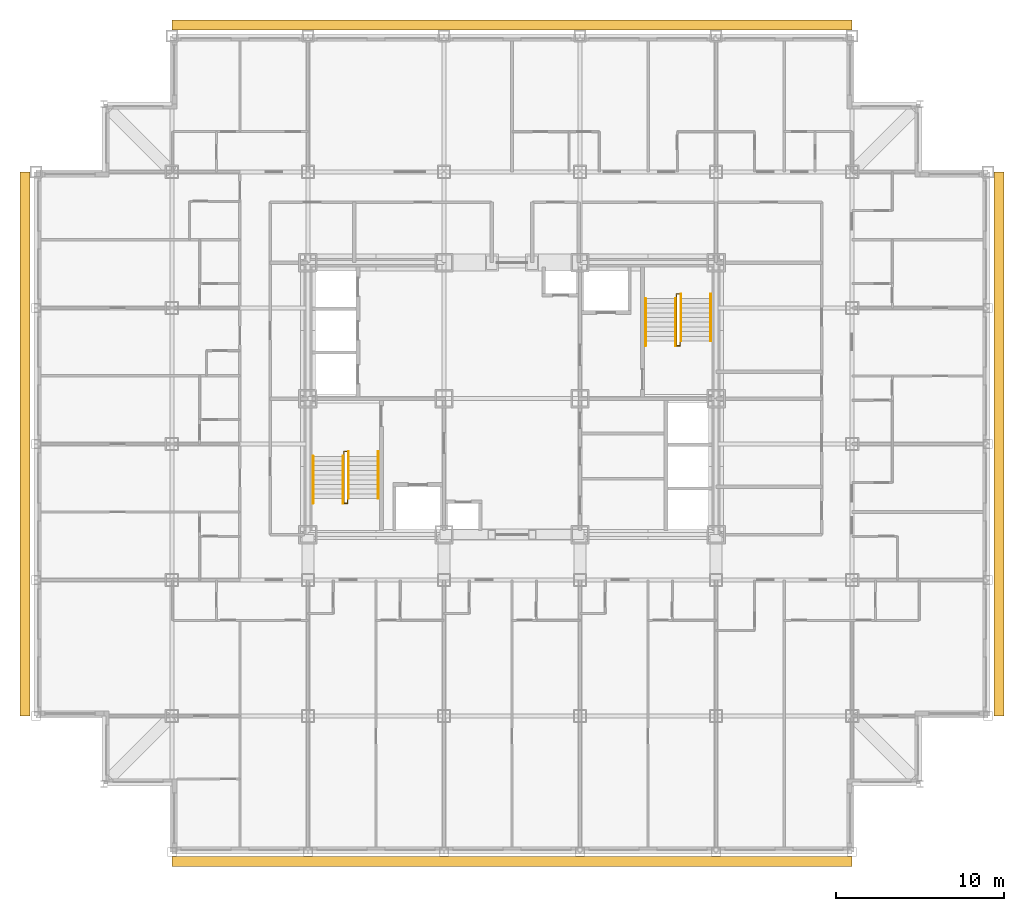
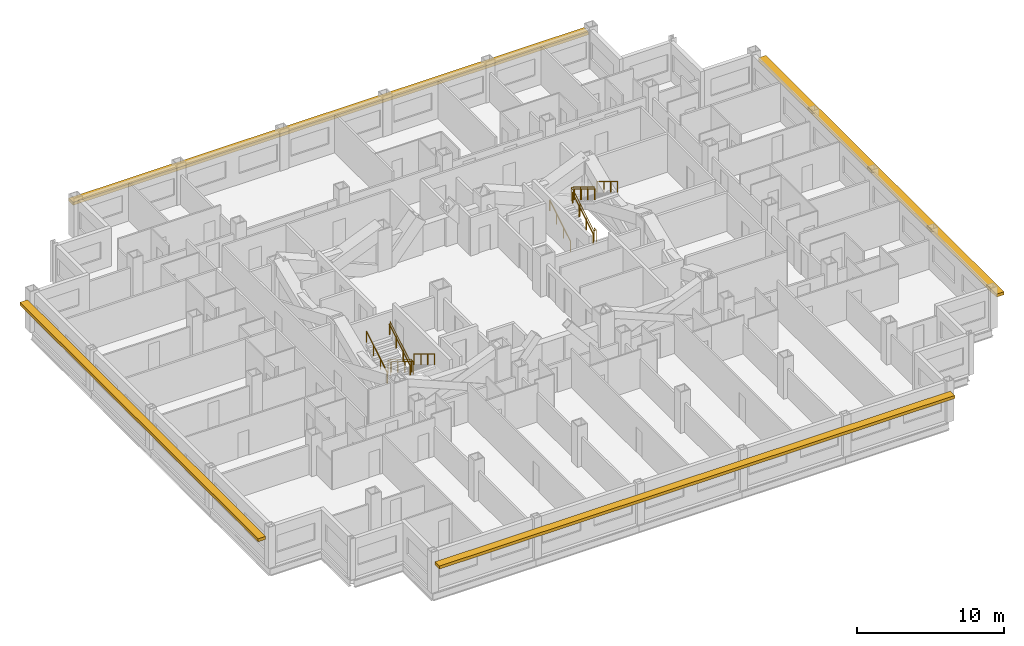
# One storey, part 12 of 12: 10 railings, 4 shading devices.
"""IFC4 building model written with IfcOpenShell, lengths in metres."""

import ifcopenshell
import ifcopenshell.guid

model = None  # the IFC model being written
_history = None  # IfcOwnerHistory: only IFC2X3 demands one
_inside = {}  # id of a spatial element -> (the spatial element, [elements in it])
_under = {}  # id of a project, library or spatial element -> (it, [spatial elements below it])
_declared = {}  # id of a project -> (the project, [libraries it declares])
_typed = {}  # id of a type object -> (the type object, [elements of that type])
_made_of = {}  # id of a material, layer set ... -> (it, [elements and type objects made of it])


def new_model(schema):
    """Start an empty IFC model of exactly this schema.

    Asked for "IFC4X3", IfcOpenShell would pick the latest addendum, in which some entities
    have other attributes; the version numbers below select the first issue.
    IFC2X3 requires an IfcOwnerHistory on every rooted entity: one is made here for all.
    """
    global model, _history
    if schema == "IFC4X3":
        model = ifcopenshell.file(schema_version=(4, 3, 0, 0))
    else:
        model = ifcopenshell.file(schema=schema)
    _inside.clear()
    _under.clear()
    _declared.clear()
    _typed.clear()
    _made_of.clear()
    _history = None
    if model.schema == "IFC2X3":
        org = make("IfcOrganization", Name="unknown")
        user = make(
            "IfcPersonAndOrganization",
            ThePerson=make("IfcPerson", FamilyName="unknown"),
            TheOrganization=org,
        )
        app = make(
            "IfcApplication",
            ApplicationDeveloper=org,
            Version="unknown",
            ApplicationFullName="unknown",
            ApplicationIdentifier="unknown",
        )
        _history = make(
            "IfcOwnerHistory",
            OwningUser=user,
            OwningApplication=app,
            ChangeAction="ADDED",
            CreationDate=0,
        )
    return model


def make(cls, **values):
    """One entity of the class cls with the attributes given. An attribute that is None is left unset."""
    return model.create_entity(
        cls, **{name: value for name, value in values.items() if value is not None}
    )


def rooted(cls, **values):
    """An entity with a GlobalId (a new one), such as an element, a storey or a relation."""
    return make(cls, GlobalId=ifcopenshell.guid.new(), OwnerHistory=_history, **values)


def si_unit(unit_type, name, prefix=None):
    """IfcSIUnit, for example si_unit("LENGTHUNIT", "METRE", prefix="MILLI")."""
    return make("IfcSIUnit", UnitType=unit_type, Prefix=prefix, Name=name)


def assignment(units):
    """IfcUnitAssignment: the units of a project."""
    return None if units is None else make("IfcUnitAssignment", Units=units)


def point(xyz):
    """IfcCartesianPoint."""
    return None if xyz is None else make("IfcCartesianPoint", Coordinates=xyz)


def direction(xyz):
    """IfcDirection."""
    return None if xyz is None else make("IfcDirection", DirectionRatios=xyz)


def frame(location, z_axis=None, x_axis=None):
    """IfcAxis2Placement3D, a coordinate frame: its origin and axes. An axis left out is left unset."""
    return make(
        "IfcAxis2Placement3D",
        Location=point(location),
        Axis=direction(z_axis),
        RefDirection=direction(x_axis),
    )


def frame_2d(location, x_axis=None):
    """IfcAxis2Placement2D, a coordinate frame in the plane: its origin and x axis."""
    return make(
        "IfcAxis2Placement2D", Location=point(location), RefDirection=direction(x_axis)
    )


def origin():
    """The frame at (0, 0, 0) with its axes left unset."""
    return frame((0.0, 0.0, 0.0))


def origin_2d():
    """The frame at (0, 0) in the plane with its x axis left unset."""
    return frame_2d((0.0, 0.0))


def place(relative_to, where):
    """IfcLocalPlacement: puts the frame where relative to a parent placement (None: the world)."""
    return make(
        "IfcLocalPlacement", PlacementRelTo=relative_to, RelativePlacement=where
    )


def context(
    kind, dimensions, precision=None, world=None, true_north=None, identifier=None
):
    """IfcGeometricRepresentationContext, for example the 3D "Model" context."""
    return make(
        "IfcGeometricRepresentationContext",
        ContextIdentifier=identifier,
        ContextType=kind,
        CoordinateSpaceDimension=dimensions,
        Precision=precision,
        WorldCoordinateSystem=world,
        TrueNorth=true_north,
    )


def subcontext(parent, identifier, kind, view, scale=None):
    """IfcGeometricRepresentationSubContext, for example "Body" below "Model"."""
    return make(
        "IfcGeometricRepresentationSubContext",
        ContextIdentifier=identifier,
        ContextType=kind,
        ParentContext=parent,
        TargetScale=scale,
        TargetView=view,
    )


def project(units=None, contexts=None):
    """IfcProject with its units and contexts."""
    return rooted(
        "IfcProject",
        Name="project",
        RepresentationContexts=contexts,
        UnitsInContext=assignment(units),
    )


def spatial(cls, under=None, at=None, **own):
    """A site, building, storey or space (cls), placed at a placement, below another one or the project."""
    s = rooted(cls, ObjectPlacement=at, **own)
    if under is not None:
        _under.setdefault(under.id(), (under, []))[1].append(s)
    return s


def profile(cls, at=None, kind="AREA", **sizes):
    """A parametric profile (cls). Its sizes go by their IFC names, for example OverallWidth=200.0."""
    return make(cls, ProfileType=kind, Position=at, **sizes)


def rectangle(**sizes):
    """IfcRectangleProfileDef."""
    return profile("IfcRectangleProfileDef", **sizes)


def circle(**sizes):
    """IfcCircleProfileDef."""
    return profile("IfcCircleProfileDef", **sizes)


def extrude(swept, where, along, depth):
    """IfcExtrudedAreaSolid: the profile swept, set in the frame where, extruded along a direction by depth."""
    return make(
        "IfcExtrudedAreaSolid",
        SweptArea=swept,
        Position=where,
        ExtrudedDirection=direction(along),
        Depth=depth,
    )


def shape(context_of_items, identifier, shape_type, items):
    """IfcShapeRepresentation: the items that make up one representation, for example the "Body"."""
    return make(
        "IfcShapeRepresentation",
        ContextOfItems=context_of_items,
        RepresentationIdentifier=identifier,
        RepresentationType=shape_type,
        Items=items,
    )


def material(Name=None, Category=None):
    """IfcMaterial."""
    return make("IfcMaterial", Name=Name, Category=Category)


def made_of(thing, what):
    """Note that an element or type object is made of a material, layer set ...; save() writes the relation."""
    if what is not None:
        _made_of.setdefault(what.id(), (what, []))[1].append(thing)
    return thing


def type_object(cls, material=None, **own):
    """A type object (cls), such as IfcWallType, which elements share."""
    return made_of(rooted(cls, **own), material)


def element(
    cls,
    number,
    at=None,
    inside=None,
    cuts=None,
    type_object=None,
    material=None,
    context=None,
    identifier="Body",
    shape_type=None,
    held_by="IfcProductDefinitionShape",
    body=None,
    shapes=None,
    **own,
):
    """One element of the class cls, such as IfcWall. Its Tag is "e" and its number.

    at: its placement. inside: the storey or other place that contains it. cuts: it is an
    opening in that element (IfcRelVoidsElement). A single representation is given by context,
    identifier, shape_type and body (its items); several are given by shapes. held_by: the class
    of the entity that holds the representations. save() writes the other relations.
    """
    e = rooted(cls, Tag="e%d" % number, ObjectPlacement=at, **own)
    if body is not None:
        shapes = [shape(context, identifier, shape_type, body)]
    if shapes is not None:
        e.Representation = make(held_by, Representations=shapes)
    if inside is not None:
        _inside.setdefault(inside.id(), (inside, []))[1].append(e)
    if cuts is not None:
        rooted(
            "IfcRelVoidsElement", RelatingBuildingElement=cuts, RelatedOpeningElement=e
        )
    if type_object is not None:
        _typed.setdefault(type_object.id(), (type_object, []))[1].append(e)
    return made_of(e, material)


def aggregate(whole, parts):
    """IfcRelAggregates: a whole, such as a stair, and the parts it consists of."""
    return rooted("IfcRelAggregates", RelatingObject=whole, RelatedObjects=parts)


def save(model, path):
    """Write the relations noted so far, then the file.

    IfcRelAggregates (storeys below a building ...), IfcRelContainedInSpatialStructure (elements
    in a storey), IfcRelDefinesByType, IfcRelAssociatesMaterial and IfcRelDeclares: one each for
    every whole, place, type object, material and project.
    """
    for whole, parts in _under.values():
        aggregate(whole, parts)
    for where, things in _inside.values():
        rooted(
            "IfcRelContainedInSpatialStructure",
            RelatedElements=things,
            RelatingStructure=where,
        )
    for kind, things in _typed.values():
        rooted("IfcRelDefinesByType", RelatedObjects=things, RelatingType=kind)
    for what, things in _made_of.values():
        rooted("IfcRelAssociatesMaterial", RelatedObjects=things, RelatingMaterial=what)
    for by, libraries in _declared.values():
        rooted("IfcRelDeclares", RelatingContext=by, RelatedDefinitions=libraries)
    model.write(path)


model = new_model("IFC4")

# Units and contexts
model_context = context("Model", 3, precision=1e-05, world=origin(), true_north=direction((0.0, 1.0)))
body_context = subcontext(model_context, "Body", "Model", "MODEL_VIEW")
ifc_project = project(units=[si_unit("LENGTHUNIT", "METRE"), si_unit("AREAUNIT", "SQUARE_METRE"), si_unit("VOLUMEUNIT", "CUBIC_METRE"), si_unit("PLANEANGLEUNIT", "RADIAN"), si_unit("MASSUNIT", "GRAM", prefix="KILO")], contexts=[model_context])

# Site, building, storey
site_placement = place(None, origin())
site = spatial("IfcSite", under=ifc_project, at=site_placement, CompositionType="ELEMENT")
building_placement = place(site_placement, origin())
building = spatial("IfcBuilding", under=site, at=building_placement, Name="Kopane Lantern Tower", CompositionType="ELEMENT")
storey_placement = place(building_placement, frame((0.0, 0.0, 144.199951171875)))
storey = spatial("IfcBuildingStorey", under=building, at=storey_placement, Name="L37", CompositionType="ELEMENT", Elevation=144.199951171875)

# Railings
ifc_material_1 = material(Name="Steel", Category="steel")
railing_type_1 = type_object("IfcRailingType", Name="STAIR GUARD 1100", PredefinedType="GUARDRAIL", material=ifc_material_1)
railing_1_placement = place(storey_placement, frame((18.35009765625, 28.969970703125, 0.0)))
element("IfcRailing", 1, at=railing_1_placement, inside=storey, type_object=railing_type_1, Name="ST1 well guard L37", PredefinedType="GUARDRAIL", context=body_context, shape_type="SweptSolid", body=[
    extrude(circle(Radius=0.02392578125, at=origin_2d()), frame((0.0, 0.0, 1.076171875), z_axis=(0.0, 1.0, 0.0), x_axis=(-1.0, 0.0, 0.0)), (0.0, 0.0, 1.0), 0.280029296875),
    extrude(circle(Radius=0.02392578125, at=origin_2d()), frame((0.0, 0.280029296875, 1.076171875), z_axis=(1.0, 0.0, 0.0), x_axis=(0.0, 1.0, 0.0)), (0.0, 0.0, 1.0), 0.199951171875),
    extrude(circle(Radius=0.02392578125, at=origin_2d()), frame((0.199951171875, 0.280029296875, 1.076171875), z_axis=(0.0, -0.854798142509, 0.518960630071), x_axis=(1.0, 0.0, 0.0)), (0.0, 0.0, 1.0), 3.275634765625),
    extrude(circle(Radius=0.02392578125, at=origin_2d()), frame((0.199951171875, -2.52001953125, 2.77587890625), z_axis=(0.0, -1.0, 0.0), x_axis=(1.0, 0.0, 0.0)), (0.0, 0.0, 1.0), 0.280029296875),
    extrude(circle(Radius=0.02392578125, at=origin_2d()), frame((0.199951171875, -2.800048828125, 2.77587890625), z_axis=(-1.0, 0.0, 0.0), x_axis=(0.0, -1.0, 0.0)), (0.0, 0.0, 1.0), 0.199951171875),
    extrude(circle(Radius=0.02392578125, at=origin_2d()), frame((0.0, -2.800048828125, 2.77587890625), z_axis=(0.0, 0.854765079529, 0.519015085347), x_axis=(-1.0, 0.0, 0.0)), (0.0, 0.0, 1.0), 3.27587890625),
    extrude(circle(Radius=0.02099609375, at=origin_2d()), origin(), (0.0, 0.0, 1.0), 1.052001953125),
    extrude(circle(Radius=0.02099609375, at=origin_2d()), frame((0.0, 0.280029296875, 0.0)), (0.0, 0.0, 1.0), 1.052001953125),
    extrude(circle(Radius=0.02099609375, at=origin_2d()), frame((0.199951171875, 0.280029296875, 0.0)), (0.0, 0.0, 1.0), 1.052001953125),
    extrude(circle(Radius=0.02099609375, at=origin_2d()), frame((0.199951171875, -0.6533203125, 0.566650390625)), (0.0, 0.0, 1.0), 1.052001953125),
    extrude(circle(Radius=0.02099609375, at=origin_2d()), frame((0.199951171875, -1.586669921875, 1.13330078125)), (0.0, 0.0, 1.0), 1.052001953125),
    extrude(circle(Radius=0.02099609375, at=origin_2d()), frame((0.199951171875, -2.52001953125, 1.699951171875)), (0.0, 0.0, 1.0), 1.052001953125),
    extrude(circle(Radius=0.02099609375, at=origin_2d()), frame((0.199951171875, -2.800048828125, 1.699951171875)), (0.0, 0.0, 1.0), 1.052001953125),
    extrude(circle(Radius=0.02099609375, at=origin_2d()), frame((0.0, -2.800048828125, 1.699951171875)), (0.0, 0.0, 1.0), 1.052001953125),
    extrude(circle(Radius=0.02099609375, at=origin_2d()), frame((0.0, -1.86669921875, 2.2666015625)), (0.0, 0.0, 1.0), 1.052001953125),
    extrude(circle(Radius=0.02099609375, at=origin_2d()), frame((0.0, -0.933349609375, 2.83349609375)), (0.0, 0.0, 1.0), 1.052001953125),
    extrude(circle(Radius=0.02099609375, at=origin_2d()), frame((0.0, 0.0, 3.400146484375)), (0.0, 0.0, 1.0), 1.052001953125),
])
railing_2_placement = place(storey_placement, frame((38.35009765625, 35.830078125, 0.0)))
element("IfcRailing", 2, at=railing_2_placement, inside=storey, type_object=railing_type_1, Name="ST2 well guard L37", PredefinedType="GUARDRAIL", context=body_context, shape_type="SweptSolid", body=[
    extrude(circle(Radius=0.02392578125, at=origin_2d()), frame((0.0, 0.0, 1.076171875), z_axis=(0.0, -1.0, 0.0), x_axis=(1.0, 0.0, 0.0)), (0.0, 0.0, 1.0), 0.280029296875),
    extrude(circle(Radius=0.02392578125, at=origin_2d()), frame((0.0, -0.280029296875, 1.076171875), z_axis=(-1.0, 0.0, 0.0), x_axis=(0.0, -1.0, 0.0)), (0.0, 0.0, 1.0), 0.2001953125),
    extrude(circle(Radius=0.02392578125, at=origin_2d()), frame((-0.2001953125, -0.280029296875, 1.076171875), z_axis=(0.0, 0.854798142509, 0.518960630071), x_axis=(-1.0, 0.0, 0.0)), (0.0, 0.0, 1.0), 3.275634765625),
    extrude(circle(Radius=0.02392578125, at=origin_2d()), frame((-0.2001953125, 2.52001953125, 2.77587890625), z_axis=(0.0, 1.0, 0.0), x_axis=(-1.0, 0.0, 0.0)), (0.0, 0.0, 1.0), 0.27978515625),
    extrude(circle(Radius=0.02392578125, at=origin_2d()), frame((-0.2001953125, 2.7998046875, 2.77587890625), z_axis=(1.0, 0.0, 0.0), x_axis=(0.0, 1.0, 0.0)), (0.0, 0.0, 1.0), 0.2001953125),
    extrude(circle(Radius=0.02392578125, at=origin_2d()), frame((0.0, 2.7998046875, 2.77587890625), z_axis=(0.0, -0.854745001426, 0.5190481505), x_axis=(1.0, 0.0, 0.0)), (0.0, 0.0, 1.0), 3.275634765625),
    extrude(circle(Radius=0.02099609375, at=origin_2d()), origin(), (0.0, 0.0, 1.0), 1.052001953125),
    extrude(circle(Radius=0.02099609375, at=origin_2d()), frame((0.0, -0.280029296875, 0.0)), (0.0, 0.0, 1.0), 1.052001953125),
    extrude(circle(Radius=0.02099609375, at=origin_2d()), frame((-0.2001953125, -0.280029296875, 0.0)), (0.0, 0.0, 1.0), 1.052001953125),
    extrude(circle(Radius=0.02099609375, at=origin_2d()), frame((-0.2001953125, 0.6533203125, 0.566650390625)), (0.0, 0.0, 1.0), 1.052001953125),
    extrude(circle(Radius=0.02099609375, at=origin_2d()), frame((-0.2001953125, 1.586669921875, 1.13330078125)), (0.0, 0.0, 1.0), 1.052001953125),
    extrude(circle(Radius=0.02099609375, at=origin_2d()), frame((-0.2001953125, 2.52001953125, 1.699951171875)), (0.0, 0.0, 1.0), 1.052001953125),
    extrude(circle(Radius=0.02099609375, at=origin_2d()), frame((-0.2001953125, 2.7998046875, 1.699951171875)), (0.0, 0.0, 1.0), 1.052001953125),
    extrude(circle(Radius=0.02099609375, at=origin_2d()), frame((0.0, 2.7998046875, 1.699951171875)), (0.0, 0.0, 1.0), 1.052001953125),
    extrude(circle(Radius=0.02099609375, at=origin_2d()), frame((0.0, 1.866455078125, 2.2666015625)), (0.0, 0.0, 1.0), 1.052001953125),
    extrude(circle(Radius=0.02099609375, at=origin_2d()), frame((0.0, 0.933349609375, 2.83349609375)), (0.0, 0.0, 1.0), 1.052001953125),
    extrude(circle(Radius=0.02099609375, at=origin_2d()), frame((0.0, 0.0, 3.400146484375)), (0.0, 0.0, 1.0), 1.052001953125),
])
ifc_material_2 = material(Name="Steel", Category="steel")
railing_type_2 = type_object("IfcRailingType", Name="STAIR HANDRAIL 900", PredefinedType="HANDRAIL", material=ifc_material_2)
for number, where, name in (
    (3, (20.389892578125, 29.25, 0.0), "ST1 handrail L37 flight 1"),
    (4, (18.610107421875, 29.25, 0.0), "ST1 handrail L37 flight 1"),
):
    element("IfcRailing", number, at=place(storey_placement, frame(where)), inside=storey, type_object=railing_type_2, Name=name, PredefinedType="HANDRAIL", context=body_context, shape_type="SweptSolid", body=[
        extrude(circle(Radius=0.02392578125, at=origin_2d()), frame((0.0, 0.0, 0.8759765625), z_axis=(0.0, -0.854798142509, 0.518960630071), x_axis=(1.0, 0.0, 0.0)), (0.0, 0.0, 1.0), 3.275634765625),
        extrude(circle(Radius=0.02099609375, at=origin_2d()), origin(), (0.0, 0.0, 1.0), 0.851806640625),
        extrude(circle(Radius=0.02099609375, at=origin_2d()), frame((0.0, -0.933349609375, 0.566650390625)), (0.0, 0.0, 1.0), 0.851806640625),
        extrude(circle(Radius=0.02099609375, at=origin_2d()), frame((0.0, -1.86669921875, 1.13330078125)), (0.0, 0.0, 1.0), 0.851806640625),
        extrude(circle(Radius=0.02099609375, at=origin_2d()), frame((0.0, -2.800048828125, 1.699951171875)), (0.0, 0.0, 1.0), 0.851806640625),
    ])
for number, where, name in (
    (5, (16.510009765625, 26.169921875, 1.699951171875), "ST1 handrail L37 flight 2"),
    (6, (18.2900390625, 26.169921875, 1.699951171875), "ST1 handrail L37 flight 2"),
):
    element("IfcRailing", number, at=place(storey_placement, frame(where)), inside=storey, type_object=railing_type_2, Name=name, PredefinedType="HANDRAIL", context=body_context, shape_type="SweptSolid", body=[
        extrude(circle(Radius=0.02392578125, at=origin_2d()), frame((0.0, 0.0, 0.8759765625), z_axis=(0.0, 0.854765079529, 0.519015085347), x_axis=(-1.0, 0.0, 0.0)), (0.0, 0.0, 1.0), 3.27587890625),
        extrude(circle(Radius=0.02099609375, at=origin_2d()), origin(), (0.0, 0.0, 1.0), 0.851806640625),
        extrude(circle(Radius=0.02099609375, at=origin_2d()), frame((0.0, 0.933349609375, 0.566650390625)), (0.0, 0.0, 1.0), 0.851806640625),
        extrude(circle(Radius=0.02099609375, at=origin_2d()), frame((0.0, 1.86669921875, 1.133544921875)), (0.0, 0.0, 1.0), 0.851806640625),
        extrude(circle(Radius=0.02099609375, at=origin_2d()), frame((0.0, 2.800048828125, 1.7001953125)), (0.0, 0.0, 1.0), 0.851806640625),
    ])
for number, where, name in (
    (7, (36.31005859375, 35.550048828125, 0.0), "ST2 handrail L37 flight 1"),
    (8, (38.090087890625, 35.550048828125, 0.0), "ST2 handrail L37 flight 1"),
):
    element("IfcRailing", number, at=place(storey_placement, frame(where)), inside=storey, type_object=railing_type_2, Name=name, PredefinedType="HANDRAIL", context=body_context, shape_type="SweptSolid", body=[
        extrude(circle(Radius=0.02392578125, at=origin_2d()), frame((0.0, 0.0, 0.8759765625), z_axis=(0.0, 0.854798142509, 0.518960630071), x_axis=(-1.0, 0.0, 0.0)), (0.0, 0.0, 1.0), 3.275634765625),
        extrude(circle(Radius=0.02099609375, at=origin_2d()), origin(), (0.0, 0.0, 1.0), 0.851806640625),
        extrude(circle(Radius=0.02099609375, at=origin_2d()), frame((0.0, 0.933349609375, 0.566650390625)), (0.0, 0.0, 1.0), 0.851806640625),
        extrude(circle(Radius=0.02099609375, at=origin_2d()), frame((0.0, 1.86669921875, 1.13330078125)), (0.0, 0.0, 1.0), 0.851806640625),
        extrude(circle(Radius=0.02099609375, at=origin_2d()), frame((0.0, 2.800048828125, 1.699951171875)), (0.0, 0.0, 1.0), 0.851806640625),
    ])
for number, where, name in (
    (9, (40.18994140625, 38.6298828125, 1.699951171875), "ST2 handrail L37 flight 2"),
    (10, (38.409912109375, 38.6298828125, 1.699951171875), "ST2 handrail L37 flight 2"),
):
    element("IfcRailing", number, at=place(storey_placement, frame(where)), inside=storey, type_object=railing_type_2, Name=name, PredefinedType="HANDRAIL", context=body_context, shape_type="SweptSolid", body=[
        extrude(circle(Radius=0.02392578125, at=origin_2d()), frame((0.0, 0.0, 0.8759765625), z_axis=(0.0, -0.854745001426, 0.5190481505), x_axis=(1.0, 0.0, 0.0)), (0.0, 0.0, 1.0), 3.275634765625),
        extrude(circle(Radius=0.02099609375, at=origin_2d()), origin(), (0.0, 0.0, 1.0), 0.851806640625),
        extrude(circle(Radius=0.02099609375, at=origin_2d()), frame((0.0, -0.933349609375, 0.566650390625)), (0.0, 0.0, 1.0), 0.851806640625),
        extrude(circle(Radius=0.02099609375, at=origin_2d()), frame((0.0, -1.866455078125, 1.133544921875)), (0.0, 0.0, 1.0), 0.851806640625),
        extrude(circle(Radius=0.02099609375, at=origin_2d()), frame((0.0, -2.7998046875, 1.7001953125)), (0.0, 0.0, 1.0), 0.851806640625),
    ])

# Shading devices
ifc_material_3 = material(Name="Terracotta rainscreen on light steel framing", Category="masonry")
shading_device_type = type_object("IfcShadingDeviceType", Name="SUNSHADE BAND SB1 600 TERRACOTTA", PredefinedType="USERDEFINED", material=ifc_material_3)
shading_device_1_placement = place(storey_placement, frame((28.35009765625, 4.824951171875, 2.300048828125), z_axis=(0.0, 0.0, 1.0), x_axis=(1.0, 0.0, 0.0)))
element("IfcShadingDevice", 11, at=shading_device_1_placement, inside=storey, type_object=shading_device_type, Name="Sunshade band S L37", ObjectType="SUNSHADE BAND", PredefinedType="USERDEFINED", context=body_context, shape_type="SweptSolid", body=[
    extrude(rectangle(XDim=40.5, YDim=0.60009765625, at=origin_2d()), origin(), (0.0, 0.0, 1.0), 0.25),
])
shading_device_2_placement = place(storey_placement, frame((57.35009765625, 29.699951171875, 2.300048828125), z_axis=(0.0, 0.0, 1.0), x_axis=(0.0, 1.0, 0.0)))
element("IfcShadingDevice", 12, at=shading_device_2_placement, inside=storey, type_object=shading_device_type, Name="Sunshade band E L37", ObjectType="SUNSHADE BAND", PredefinedType="USERDEFINED", context=body_context, shape_type="SweptSolid", body=[
    extrude(rectangle(XDim=32.39990234375, YDim=0.60009765625, at=origin_2d()), origin(), (0.0, 0.0, 1.0), 0.25),
])
shading_device_3_placement = place(storey_placement, frame((28.35009765625, 54.64990234375, 2.300048828125), z_axis=(0.0, 0.0, 1.0), x_axis=(-1.0, 0.0, 0.0)))
element("IfcShadingDevice", 13, at=shading_device_3_placement, inside=storey, type_object=shading_device_type, Name="Sunshade band N L37", ObjectType="SUNSHADE BAND", PredefinedType="USERDEFINED", context=body_context, shape_type="SweptSolid", body=[
    extrude(rectangle(XDim=40.5, YDim=0.60009765625, at=origin_2d()), origin(), (0.0, 0.0, 1.0), 0.25),
])
shading_device_4_placement = place(storey_placement, frame((-0.64990234375, 29.699951171875, 2.300048828125), z_axis=(0.0, 0.0, 1.0), x_axis=(0.0, -1.0, 0.0)))
element("IfcShadingDevice", 14, at=shading_device_4_placement, inside=storey, type_object=shading_device_type, Name="Sunshade band W L37", ObjectType="SUNSHADE BAND", PredefinedType="USERDEFINED", context=body_context, shape_type="SweptSolid", body=[
    extrude(rectangle(XDim=32.39990234375, YDim=0.60009765625, at=origin_2d()), origin(), (0.0, 0.0, 1.0), 0.25),
])

save(model, "model.ifc")
